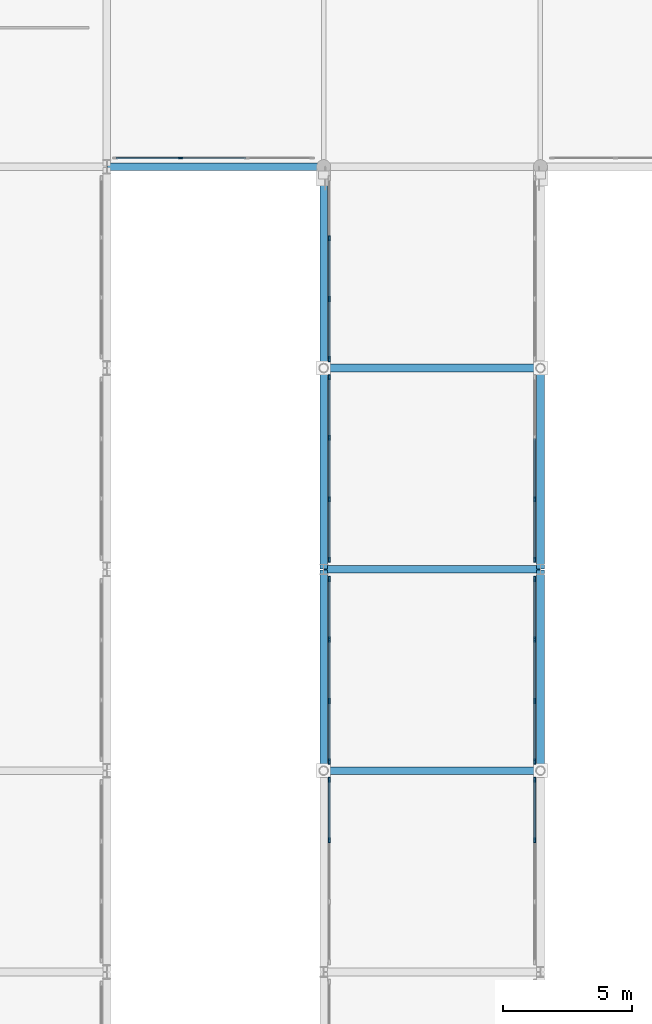
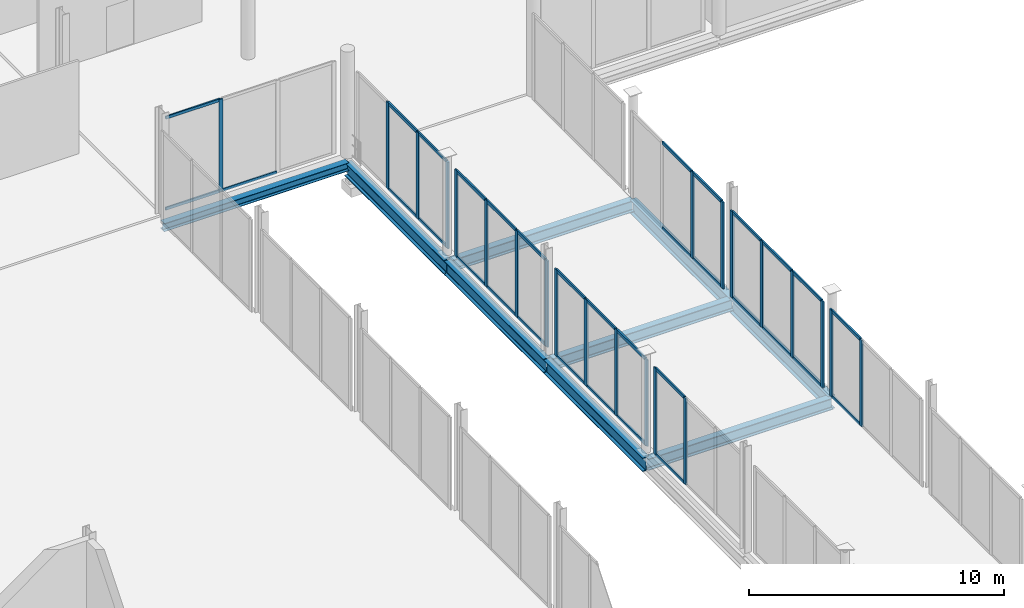
# One storey, part 46 of 105: 55 members, 9 beams, 8 elements without a shape of their own.
"""IFC4 building model written with IfcOpenShell, lengths in metres."""

from ifc_helpers import new_model, si_unit, direction, frame, origin, origin_2d, place, context, subcontext, project, spatial, rectangle, i_section, extrude, material, material_profile, profile_set, type_object, element, aggregate, save


model = new_model("IFC4")

# Units and contexts
model_context = context("Model", 3, precision=1e-05, world=origin(), true_north=direction((0.0, 1.0)))
body_context = subcontext(model_context, "Body", "Model", "MODEL_VIEW")
ifc_project = project(units=[si_unit("LENGTHUNIT", "METRE"), si_unit("AREAUNIT", "SQUARE_METRE"), si_unit("VOLUMEUNIT", "CUBIC_METRE"), si_unit("PLANEANGLEUNIT", "RADIAN"), si_unit("MASSUNIT", "GRAM", prefix="KILO")], contexts=[model_context])

# Site, building, storey
site_placement = place(None, origin())
site = spatial("IfcSite", under=ifc_project, at=site_placement, CompositionType="ELEMENT")
building_placement = place(site_placement, origin())
building = spatial("IfcBuilding", under=site, at=building_placement, Name="Nabrawat Pavilion Hospital", CompositionType="ELEMENT")
storey_placement = place(building_placement, frame((0.0, 0.0, 5.10009765625)))
storey = spatial("IfcBuildingStorey", under=building, at=storey_placement, Name="L01", CompositionType="ELEMENT", Elevation=5.10009765625)

# Beams
ifc_material_1 = material(Name="Steel S355", Category="steel")
ifc_material_profile_1 = material_profile(ifc_material_1, i_section(OverallWidth=0.300048828125, OverallDepth=0.64990234375, WebThickness=0.01611328125, FlangeThickness=0.031005859375, FilletRadius=0.027099609375, at=origin_2d()), Name="HEB 650")
ifc_profile_set_1 = profile_set([ifc_material_profile_1], Name="Steel S355")
beam_type_1 = type_object("IfcBeamType", Name="Courtyard Link Bridge Edge Girder HEB 650", PredefinedType="USERDEFINED", material=ifc_profile_set_1)
for number, where, z_axis, x_axis, name in (
    (1, (67.199951171875, 62.419921875, -0.614990234375), (0.0, 1.0, 0.0), (-1.0, 0.0, 0.0), "L01 Courtyard Link Bridge Edge Girder 762"),
    (2, (67.199951171875, 70.219970703125, -0.614990234375), (0.0, 1.0, 0.0), (-1.0, 0.0, 0.0), "L01 Courtyard Link Bridge Edge Girder 763"),
    (3, (67.199951171875, 78.02001953125, -0.614990234375), (0.0, 1.0, 0.0), (-1.0, 0.0, 0.0), "L01 Courtyard Link Bridge Edge Girder 764"),
    (4, (75.60009765625, 62.419921875, -0.614990234375), (0.0, 1.0, 0.0), (-1.0, 0.0, 0.0), "L01 Courtyard Link Bridge Edge Girder 771"),
    (5, (75.60009765625, 70.219970703125, -0.614990234375), (0.0, 1.0, 0.0), (-1.0, 0.0, 0.0), "L01 Courtyard Link Bridge Edge Girder 772"),
):
    element("IfcBeam", number, at=place(storey_placement, frame(where, z_axis=z_axis, x_axis=x_axis)), inside=storey, type_object=beam_type_1, Name=name, ObjectType="GIRDER", PredefinedType="USERDEFINED", context=body_context, shape_type="SweptSolid", body=[
        extrude(i_section(OverallWidth=0.300048828125, OverallDepth=0.64990234375, WebThickness=0.01611328125, FlangeThickness=0.031005859375, FilletRadius=0.027099609375, at=origin_2d()), origin(), (0.0, 0.0, 1.0), 7.760009765625),
    ])

# Curtain wall, members
ifc_material_2 = material(Name="Anodised Aluminium", Category="aluminium")
curtain_wall_type_1 = type_object("IfcCurtainWallType", Name="Courtyard Link Bridge Glazed Curtain Wall", PredefinedType="USERDEFINED", material=ifc_material_2)
curtain_wall_1_placement = place(storey_placement, origin())
curtain_wall_1 = element("IfcCurtainWall", 6, at=curtain_wall_1_placement, inside=storey, type_object=curtain_wall_type_1, Name="L01 Courtyard Link Bridge Glazed Curtain Wall 054", ObjectType="CURTAIN WALL", PredefinedType="USERDEFINED")
ifc_material_profile_2 = material_profile(ifc_material_2, rectangle(XDim=0.070068359375, YDim=0.199951171875, at=origin_2d()), Name="CWM 70x200")
ifc_profile_set_2 = profile_set([ifc_material_profile_2], Name="Anodised Aluminium")
member_type_1 = type_object("IfcMemberType", Name="Courtyard Link Bridge Glazed Curtain Wall Mullion CWM 70x200", PredefinedType="MULLION", material=ifc_profile_set_2)
member_1_placement = place(storey_placement, frame((67.419921875, 59.701416015625, 0.0), z_axis=(0.0, 0.0, 1.0), x_axis=(-1.0, 0.0, 0.0)))
member_1 = element("IfcMember", 7, at=member_1_placement, type_object=member_type_1, Name="CW-BRG-01 mullion 3", PredefinedType="MULLION", context=body_context, shape_type="SweptSolid", body=[
    extrude(rectangle(XDim=0.070068359375, YDim=0.199951171875, at=origin_2d()), origin(), (0.0, 0.0, 1.0), 4.139892578125),
])
member_2_placement = place(storey_placement, frame((67.419921875, 62.047119140625, 0.0), z_axis=(0.0, 0.0, 1.0), x_axis=(-1.0, 0.0, 0.0)))
member_2 = element("IfcMember", 8, at=member_2_placement, type_object=member_type_1, Name="CW-BRG-01 mullion 4", PredefinedType="MULLION", context=body_context, shape_type="SweptSolid", body=[
    extrude(rectangle(XDim=0.070068359375, YDim=0.199951171875, at=origin_2d()), origin(), (0.0, 0.0, 1.0), 4.139892578125),
])

curtain_wall_2_placement = place(storey_placement, origin())
curtain_wall_2 = element("IfcCurtainWall", 9, at=curtain_wall_2_placement, inside=storey, type_object=curtain_wall_type_1, Name="L01 Courtyard Link Bridge Glazed Curtain Wall 055", ObjectType="CURTAIN WALL", PredefinedType="USERDEFINED")
member_3_placement = place(storey_placement, frame((67.419921875, 62.752685546875, 0.0), z_axis=(0.0, 0.0, 1.0), x_axis=(-1.0, 0.0, 0.0)))
member_3 = element("IfcMember", 10, at=member_3_placement, type_object=member_type_1, Name="CW-BRG-01 mullion 1", PredefinedType="MULLION", context=body_context, shape_type="SweptSolid", body=[
    extrude(rectangle(XDim=0.070068359375, YDim=0.199951171875, at=origin_2d()), origin(), (0.0, 0.0, 1.0), 4.139892578125),
])
member_4_placement = place(storey_placement, frame((67.419921875, 65.0986328125, 0.0), z_axis=(0.0, 0.0, 1.0), x_axis=(-1.0, 0.0, 0.0)))
member_4 = element("IfcMember", 11, at=member_4_placement, type_object=member_type_1, Name="CW-BRG-01 mullion 2", PredefinedType="MULLION", context=body_context, shape_type="SweptSolid", body=[
    extrude(rectangle(XDim=0.070068359375, YDim=0.199951171875, at=origin_2d()), origin(), (0.0, 0.0, 1.0), 4.139892578125),
])
member_5_placement = place(storey_placement, frame((67.419921875, 67.479248046875, 0.0), z_axis=(0.0, 0.0, 1.0), x_axis=(-1.0, 0.0, 0.0)))
member_5 = element("IfcMember", 12, at=member_5_placement, type_object=member_type_1, Name="CW-BRG-01 mullion 3", PredefinedType="MULLION", context=body_context, shape_type="SweptSolid", body=[
    extrude(rectangle(XDim=0.070068359375, YDim=0.199951171875, at=origin_2d()), origin(), (0.0, 0.0, 1.0), 4.139892578125),
])
member_6_placement = place(storey_placement, frame((67.419921875, 69.824951171875, 0.0), z_axis=(0.0, 0.0, 1.0), x_axis=(-1.0, 0.0, 0.0)))
member_6 = element("IfcMember", 13, at=member_6_placement, type_object=member_type_1, Name="CW-BRG-01 mullion 4", PredefinedType="MULLION", context=body_context, shape_type="SweptSolid", body=[
    extrude(rectangle(XDim=0.070068359375, YDim=0.199951171875, at=origin_2d()), origin(), (0.0, 0.0, 1.0), 4.139892578125),
])

curtain_wall_3_placement = place(storey_placement, origin())
curtain_wall_3 = element("IfcCurtainWall", 14, at=curtain_wall_3_placement, inside=storey, type_object=curtain_wall_type_1, Name="L01 Courtyard Link Bridge Glazed Curtain Wall 056", ObjectType="CURTAIN WALL", PredefinedType="USERDEFINED")
member_7_placement = place(storey_placement, frame((67.419921875, 70.574951171875, 0.0), z_axis=(0.0, 0.0, 1.0), x_axis=(-1.0, 0.0, 0.0)))
member_7 = element("IfcMember", 15, at=member_7_placement, type_object=member_type_1, Name="CW-BRG-01 mullion 1", PredefinedType="MULLION", context=body_context, shape_type="SweptSolid", body=[
    extrude(rectangle(XDim=0.070068359375, YDim=0.199951171875, at=origin_2d()), origin(), (0.0, 0.0, 1.0), 4.139892578125),
])
member_8_placement = place(storey_placement, frame((67.419921875, 72.920654296875, 0.0), z_axis=(0.0, 0.0, 1.0), x_axis=(-1.0, 0.0, 0.0)))
member_8 = element("IfcMember", 16, at=member_8_placement, type_object=member_type_1, Name="CW-BRG-01 mullion 2", PredefinedType="MULLION", context=body_context, shape_type="SweptSolid", body=[
    extrude(rectangle(XDim=0.070068359375, YDim=0.199951171875, at=origin_2d()), origin(), (0.0, 0.0, 1.0), 4.139892578125),
])
member_9_placement = place(storey_placement, frame((67.419921875, 75.301513671875, 0.0), z_axis=(0.0, 0.0, 1.0), x_axis=(-1.0, 0.0, 0.0)))
member_9 = element("IfcMember", 17, at=member_9_placement, type_object=member_type_1, Name="CW-BRG-01 mullion 3", PredefinedType="MULLION", context=body_context, shape_type="SweptSolid", body=[
    extrude(rectangle(XDim=0.070068359375, YDim=0.199951171875, at=origin_2d()), origin(), (0.0, 0.0, 1.0), 4.139892578125),
])
member_10_placement = place(storey_placement, frame((67.419921875, 77.647216796875, 0.0), z_axis=(0.0, 0.0, 1.0), x_axis=(-1.0, 0.0, 0.0)))
member_10 = element("IfcMember", 18, at=member_10_placement, type_object=member_type_1, Name="CW-BRG-01 mullion 4", PredefinedType="MULLION", context=body_context, shape_type="SweptSolid", body=[
    extrude(rectangle(XDim=0.070068359375, YDim=0.199951171875, at=origin_2d()), origin(), (0.0, 0.0, 1.0), 4.139892578125),
])

curtain_wall_4_placement = place(storey_placement, origin())
curtain_wall_4 = element("IfcCurtainWall", 19, at=curtain_wall_4_placement, inside=storey, type_object=curtain_wall_type_1, Name="L01 Courtyard Link Bridge Glazed Curtain Wall 057", ObjectType="CURTAIN WALL", PredefinedType="USERDEFINED")
member_11_placement = place(storey_placement, frame((67.419921875, 78.352783203125, 0.0), z_axis=(0.0, 0.0, 1.0), x_axis=(-1.0, 0.0, 0.0)))
member_11 = element("IfcMember", 20, at=member_11_placement, type_object=member_type_1, Name="CW-BRG-01 mullion 1", PredefinedType="MULLION", context=body_context, shape_type="SweptSolid", body=[
    extrude(rectangle(XDim=0.070068359375, YDim=0.199951171875, at=origin_2d()), origin(), (0.0, 0.0, 1.0), 4.139892578125),
])
member_12_placement = place(storey_placement, frame((67.419921875, 80.673583984375, 0.0), z_axis=(0.0, 0.0, 1.0), x_axis=(-1.0, 0.0, 0.0)))
member_12 = element("IfcMember", 21, at=member_12_placement, type_object=member_type_1, Name="CW-BRG-01 mullion 2", PredefinedType="MULLION", context=body_context, shape_type="SweptSolid", body=[
    extrude(rectangle(XDim=0.070068359375, YDim=0.199951171875, at=origin_2d()), origin(), (0.0, 0.0, 1.0), 4.139892578125),
])
member_13_placement = place(storey_placement, frame((67.419921875, 83.029296875, 0.0), z_axis=(0.0, 0.0, 1.0), x_axis=(-1.0, 0.0, 0.0)))
member_13 = element("IfcMember", 22, at=member_13_placement, type_object=member_type_1, Name="CW-BRG-01 mullion 3", PredefinedType="MULLION", context=body_context, shape_type="SweptSolid", body=[
    extrude(rectangle(XDim=0.070068359375, YDim=0.199951171875, at=origin_2d()), origin(), (0.0, 0.0, 1.0), 4.139892578125),
])

curtain_wall_5_placement = place(storey_placement, origin())
curtain_wall_5 = element("IfcCurtainWall", 23, at=curtain_wall_5_placement, inside=storey, type_object=curtain_wall_type_1, Name="L01 Courtyard Link Bridge Glazed Curtain Wall 060", ObjectType="CURTAIN WALL", PredefinedType="USERDEFINED")
member_14_placement = place(storey_placement, frame((75.3798828125, 59.701416015625, 0.0), z_axis=(0.0, 0.0, 1.0), x_axis=(-1.0, 0.0, 0.0)))
member_14 = element("IfcMember", 24, at=member_14_placement, type_object=member_type_1, Name="CW-BRG-01 mullion 3", PredefinedType="MULLION", context=body_context, shape_type="SweptSolid", body=[
    extrude(rectangle(XDim=0.070068359375, YDim=0.199951171875, at=origin_2d()), origin(), (0.0, 0.0, 1.0), 4.139892578125),
])
member_15_placement = place(storey_placement, frame((75.3798828125, 62.047119140625, 0.0), z_axis=(0.0, 0.0, 1.0), x_axis=(-1.0, 0.0, 0.0)))
member_15 = element("IfcMember", 25, at=member_15_placement, type_object=member_type_1, Name="CW-BRG-01 mullion 4", PredefinedType="MULLION", context=body_context, shape_type="SweptSolid", body=[
    extrude(rectangle(XDim=0.070068359375, YDim=0.199951171875, at=origin_2d()), origin(), (0.0, 0.0, 1.0), 4.139892578125),
])

curtain_wall_6_placement = place(storey_placement, origin())
curtain_wall_6 = element("IfcCurtainWall", 26, at=curtain_wall_6_placement, inside=storey, type_object=curtain_wall_type_1, Name="L01 Courtyard Link Bridge Glazed Curtain Wall 061", ObjectType="CURTAIN WALL", PredefinedType="USERDEFINED")
member_16_placement = place(storey_placement, frame((75.3798828125, 62.752685546875, 0.0), z_axis=(0.0, 0.0, 1.0), x_axis=(-1.0, 0.0, 0.0)))
member_16 = element("IfcMember", 27, at=member_16_placement, type_object=member_type_1, Name="CW-BRG-01 mullion 1", PredefinedType="MULLION", context=body_context, shape_type="SweptSolid", body=[
    extrude(rectangle(XDim=0.070068359375, YDim=0.199951171875, at=origin_2d()), origin(), (0.0, 0.0, 1.0), 4.139892578125),
])
member_17_placement = place(storey_placement, frame((75.3798828125, 65.0986328125, 0.0), z_axis=(0.0, 0.0, 1.0), x_axis=(-1.0, 0.0, 0.0)))
member_17 = element("IfcMember", 28, at=member_17_placement, type_object=member_type_1, Name="CW-BRG-01 mullion 2", PredefinedType="MULLION", context=body_context, shape_type="SweptSolid", body=[
    extrude(rectangle(XDim=0.070068359375, YDim=0.199951171875, at=origin_2d()), origin(), (0.0, 0.0, 1.0), 4.139892578125),
])
member_18_placement = place(storey_placement, frame((75.3798828125, 67.479248046875, 0.0), z_axis=(0.0, 0.0, 1.0), x_axis=(-1.0, 0.0, 0.0)))
member_18 = element("IfcMember", 29, at=member_18_placement, type_object=member_type_1, Name="CW-BRG-01 mullion 3", PredefinedType="MULLION", context=body_context, shape_type="SweptSolid", body=[
    extrude(rectangle(XDim=0.070068359375, YDim=0.199951171875, at=origin_2d()), origin(), (0.0, 0.0, 1.0), 4.139892578125),
])
member_19_placement = place(storey_placement, frame((75.3798828125, 69.824951171875, 0.0), z_axis=(0.0, 0.0, 1.0), x_axis=(-1.0, 0.0, 0.0)))
member_19 = element("IfcMember", 30, at=member_19_placement, type_object=member_type_1, Name="CW-BRG-01 mullion 4", PredefinedType="MULLION", context=body_context, shape_type="SweptSolid", body=[
    extrude(rectangle(XDim=0.070068359375, YDim=0.199951171875, at=origin_2d()), origin(), (0.0, 0.0, 1.0), 4.139892578125),
])

curtain_wall_7_placement = place(storey_placement, origin())
curtain_wall_7 = element("IfcCurtainWall", 31, at=curtain_wall_7_placement, inside=storey, type_object=curtain_wall_type_1, Name="L01 Courtyard Link Bridge Glazed Curtain Wall 062", ObjectType="CURTAIN WALL", PredefinedType="USERDEFINED")
member_20_placement = place(storey_placement, frame((75.3798828125, 70.574951171875, 0.0), z_axis=(0.0, 0.0, 1.0), x_axis=(-1.0, 0.0, 0.0)))
member_20 = element("IfcMember", 32, at=member_20_placement, type_object=member_type_1, Name="CW-BRG-01 mullion 1", PredefinedType="MULLION", context=body_context, shape_type="SweptSolid", body=[
    extrude(rectangle(XDim=0.070068359375, YDim=0.199951171875, at=origin_2d()), origin(), (0.0, 0.0, 1.0), 4.139892578125),
])
member_21_placement = place(storey_placement, frame((75.3798828125, 72.920654296875, 0.0), z_axis=(0.0, 0.0, 1.0), x_axis=(-1.0, 0.0, 0.0)))
member_21 = element("IfcMember", 33, at=member_21_placement, type_object=member_type_1, Name="CW-BRG-01 mullion 2", PredefinedType="MULLION", context=body_context, shape_type="SweptSolid", body=[
    extrude(rectangle(XDim=0.070068359375, YDim=0.199951171875, at=origin_2d()), origin(), (0.0, 0.0, 1.0), 4.139892578125),
])

# Member
ifc_material_profile_3 = material_profile(ifc_material_2, rectangle(XDim=0.070068359375, YDim=0.14990234375, at=origin_2d()), Name="CWT 70x150")
ifc_profile_set_3 = profile_set([ifc_material_profile_3], Name="Anodised Aluminium")
member_type_2 = type_object("IfcMemberType", Name="Courtyard Link Bridge Glazed Curtain Wall Transom CWT 70x150", PredefinedType="USERDEFINED", material=ifc_profile_set_3)
member_22_placement = place(storey_placement, frame((67.419921875, 59.736572265625, 0.034912109375), z_axis=(0.0, 1.0, 0.0), x_axis=(-1.0, 0.0, 0.0)))
member_22 = element("IfcMember", 34, at=member_22_placement, type_object=member_type_2, Name="CW-BRG-01 transom 3.1", ObjectType="TRANSOM", PredefinedType="USERDEFINED", context=body_context, shape_type="SweptSolid", body=[
    extrude(rectangle(XDim=0.070068359375, YDim=0.14990234375, at=origin_2d()), origin(), (0.0, 0.0, 1.0), 2.275634765625),
])

member_23_placement = place(storey_placement, frame((67.419921875, 59.736572265625, 4.10498046875), z_axis=(0.0, 1.0, 0.0), x_axis=(-1.0, 0.0, 0.0)))
member_23 = element("IfcMember", 35, at=member_23_placement, type_object=member_type_2, Name="CW-BRG-01 transom 3.2", ObjectType="TRANSOM", PredefinedType="USERDEFINED", context=body_context, shape_type="SweptSolid", body=[
    extrude(rectangle(XDim=0.070068359375, YDim=0.14990234375, at=origin_2d()), origin(), (0.0, 0.0, 1.0), 2.275634765625),
])

aggregate(curtain_wall_1, [member_1, member_2, member_22, member_23])

member_24_placement = place(storey_placement, frame((67.419921875, 62.787841796875, 0.034912109375), z_axis=(0.0, 1.0, 0.0), x_axis=(-1.0, 0.0, 0.0)))
member_24 = element("IfcMember", 36, at=member_24_placement, type_object=member_type_2, Name="CW-BRG-01 transom 1.1", ObjectType="TRANSOM", PredefinedType="USERDEFINED", context=body_context, shape_type="SweptSolid", body=[
    extrude(rectangle(XDim=0.070068359375, YDim=0.14990234375, at=origin_2d()), origin(), (0.0, 0.0, 1.0), 2.275634765625),
])

member_25_placement = place(storey_placement, frame((67.419921875, 62.787841796875, 4.10498046875), z_axis=(0.0, 1.0, 0.0), x_axis=(-1.0, 0.0, 0.0)))
member_25 = element("IfcMember", 37, at=member_25_placement, type_object=member_type_2, Name="CW-BRG-01 transom 1.2", ObjectType="TRANSOM", PredefinedType="USERDEFINED", context=body_context, shape_type="SweptSolid", body=[
    extrude(rectangle(XDim=0.070068359375, YDim=0.14990234375, at=origin_2d()), origin(), (0.0, 0.0, 1.0), 2.275634765625),
])

member_26_placement = place(storey_placement, frame((67.419921875, 65.133544921875, 0.034912109375), z_axis=(0.0, 1.0, 0.0), x_axis=(-1.0, 0.0, 0.0)))
member_26 = element("IfcMember", 38, at=member_26_placement, type_object=member_type_2, Name="CW-BRG-01 transom 2.1", ObjectType="TRANSOM", PredefinedType="USERDEFINED", context=body_context, shape_type="SweptSolid", body=[
    extrude(rectangle(XDim=0.070068359375, YDim=0.14990234375, at=origin_2d()), origin(), (0.0, 0.0, 1.0), 2.310791015625),
])

member_27_placement = place(storey_placement, frame((67.419921875, 65.133544921875, 4.10498046875), z_axis=(0.0, 1.0, 0.0), x_axis=(-1.0, 0.0, 0.0)))
member_27 = element("IfcMember", 39, at=member_27_placement, type_object=member_type_2, Name="CW-BRG-01 transom 2.2", ObjectType="TRANSOM", PredefinedType="USERDEFINED", context=body_context, shape_type="SweptSolid", body=[
    extrude(rectangle(XDim=0.070068359375, YDim=0.14990234375, at=origin_2d()), origin(), (0.0, 0.0, 1.0), 2.310791015625),
])

member_28_placement = place(storey_placement, frame((67.419921875, 67.51416015625, 0.034912109375), z_axis=(0.0, 1.0, 0.0), x_axis=(-1.0, 0.0, 0.0)))
member_28 = element("IfcMember", 40, at=member_28_placement, type_object=member_type_2, Name="CW-BRG-01 transom 3.1", ObjectType="TRANSOM", PredefinedType="USERDEFINED", context=body_context, shape_type="SweptSolid", body=[
    extrude(rectangle(XDim=0.070068359375, YDim=0.14990234375, at=origin_2d()), origin(), (0.0, 0.0, 1.0), 2.27587890625),
])

member_29_placement = place(storey_placement, frame((67.419921875, 67.51416015625, 4.10498046875), z_axis=(0.0, 1.0, 0.0), x_axis=(-1.0, 0.0, 0.0)))
member_29 = element("IfcMember", 41, at=member_29_placement, type_object=member_type_2, Name="CW-BRG-01 transom 3.2", ObjectType="TRANSOM", PredefinedType="USERDEFINED", context=body_context, shape_type="SweptSolid", body=[
    extrude(rectangle(XDim=0.070068359375, YDim=0.14990234375, at=origin_2d()), origin(), (0.0, 0.0, 1.0), 2.27587890625),
])

aggregate(curtain_wall_2, [member_3, member_4, member_5, member_6, member_24, member_25, member_26, member_27, member_28, member_29])

member_30_placement = place(storey_placement, frame((67.419921875, 70.610107421875, 0.034912109375), z_axis=(0.0, 1.0, 0.0), x_axis=(-1.0, 0.0, 0.0)))
member_30 = element("IfcMember", 42, at=member_30_placement, type_object=member_type_2, Name="CW-BRG-01 transom 1.1", ObjectType="TRANSOM", PredefinedType="USERDEFINED", context=body_context, shape_type="SweptSolid", body=[
    extrude(rectangle(XDim=0.070068359375, YDim=0.14990234375, at=origin_2d()), origin(), (0.0, 0.0, 1.0), 2.275634765625),
])

member_31_placement = place(storey_placement, frame((67.419921875, 70.610107421875, 4.10498046875), z_axis=(0.0, 1.0, 0.0), x_axis=(-1.0, 0.0, 0.0)))
member_31 = element("IfcMember", 43, at=member_31_placement, type_object=member_type_2, Name="CW-BRG-01 transom 1.2", ObjectType="TRANSOM", PredefinedType="USERDEFINED", context=body_context, shape_type="SweptSolid", body=[
    extrude(rectangle(XDim=0.070068359375, YDim=0.14990234375, at=origin_2d()), origin(), (0.0, 0.0, 1.0), 2.275634765625),
])

member_32_placement = place(storey_placement, frame((67.419921875, 72.955810546875, 0.034912109375), z_axis=(0.0, 1.0, 0.0), x_axis=(-1.0, 0.0, 0.0)))
member_32 = element("IfcMember", 44, at=member_32_placement, type_object=member_type_2, Name="CW-BRG-01 transom 2.1", ObjectType="TRANSOM", PredefinedType="USERDEFINED", context=body_context, shape_type="SweptSolid", body=[
    extrude(rectangle(XDim=0.070068359375, YDim=0.14990234375, at=origin_2d()), origin(), (0.0, 0.0, 1.0), 2.310546875),
])

member_33_placement = place(storey_placement, frame((67.419921875, 72.955810546875, 4.10498046875), z_axis=(0.0, 1.0, 0.0), x_axis=(-1.0, 0.0, 0.0)))
member_33 = element("IfcMember", 45, at=member_33_placement, type_object=member_type_2, Name="CW-BRG-01 transom 2.2", ObjectType="TRANSOM", PredefinedType="USERDEFINED", context=body_context, shape_type="SweptSolid", body=[
    extrude(rectangle(XDim=0.070068359375, YDim=0.14990234375, at=origin_2d()), origin(), (0.0, 0.0, 1.0), 2.310546875),
])

member_34_placement = place(storey_placement, frame((67.419921875, 75.33642578125, 0.034912109375), z_axis=(0.0, 1.0, 0.0), x_axis=(-1.0, 0.0, 0.0)))
member_34 = element("IfcMember", 46, at=member_34_placement, type_object=member_type_2, Name="CW-BRG-01 transom 3.1", ObjectType="TRANSOM", PredefinedType="USERDEFINED", context=body_context, shape_type="SweptSolid", body=[
    extrude(rectangle(XDim=0.070068359375, YDim=0.14990234375, at=origin_2d()), origin(), (0.0, 0.0, 1.0), 2.27587890625),
])

member_35_placement = place(storey_placement, frame((67.419921875, 75.33642578125, 4.10498046875), z_axis=(0.0, 1.0, 0.0), x_axis=(-1.0, 0.0, 0.0)))
member_35 = element("IfcMember", 47, at=member_35_placement, type_object=member_type_2, Name="CW-BRG-01 transom 3.2", ObjectType="TRANSOM", PredefinedType="USERDEFINED", context=body_context, shape_type="SweptSolid", body=[
    extrude(rectangle(XDim=0.070068359375, YDim=0.14990234375, at=origin_2d()), origin(), (0.0, 0.0, 1.0), 2.27587890625),
])

aggregate(curtain_wall_3, [member_7, member_8, member_9, member_10, member_30, member_31, member_32, member_33, member_34, member_35])

member_36_placement = place(storey_placement, frame((67.419921875, 78.3876953125, 0.034912109375), z_axis=(0.0, 1.0, 0.0), x_axis=(-1.0, 0.0, 0.0)))
member_36 = element("IfcMember", 48, at=member_36_placement, type_object=member_type_2, Name="CW-BRG-01 transom 1.1", ObjectType="TRANSOM", PredefinedType="USERDEFINED", context=body_context, shape_type="SweptSolid", body=[
    extrude(rectangle(XDim=0.070068359375, YDim=0.14990234375, at=origin_2d()), origin(), (0.0, 0.0, 1.0), 2.250732421875),
])

member_37_placement = place(storey_placement, frame((67.419921875, 78.3876953125, 4.10498046875), z_axis=(0.0, 1.0, 0.0), x_axis=(-1.0, 0.0, 0.0)))
member_37 = element("IfcMember", 49, at=member_37_placement, type_object=member_type_2, Name="CW-BRG-01 transom 1.2", ObjectType="TRANSOM", PredefinedType="USERDEFINED", context=body_context, shape_type="SweptSolid", body=[
    extrude(rectangle(XDim=0.070068359375, YDim=0.14990234375, at=origin_2d()), origin(), (0.0, 0.0, 1.0), 2.250732421875),
])

member_38_placement = place(storey_placement, frame((67.419921875, 80.70849609375, 0.034912109375), z_axis=(0.0, 1.0, 0.0), x_axis=(-1.0, 0.0, 0.0)))
member_38 = element("IfcMember", 50, at=member_38_placement, type_object=member_type_2, Name="CW-BRG-01 transom 2.1", ObjectType="TRANSOM", PredefinedType="USERDEFINED", context=body_context, shape_type="SweptSolid", body=[
    extrude(rectangle(XDim=0.070068359375, YDim=0.14990234375, at=origin_2d()), origin(), (0.0, 0.0, 1.0), 2.285888671875),
])

member_39_placement = place(storey_placement, frame((67.419921875, 80.70849609375, 4.10498046875), z_axis=(0.0, 1.0, 0.0), x_axis=(-1.0, 0.0, 0.0)))
member_39 = element("IfcMember", 51, at=member_39_placement, type_object=member_type_2, Name="CW-BRG-01 transom 2.2", ObjectType="TRANSOM", PredefinedType="USERDEFINED", context=body_context, shape_type="SweptSolid", body=[
    extrude(rectangle(XDim=0.070068359375, YDim=0.14990234375, at=origin_2d()), origin(), (0.0, 0.0, 1.0), 2.285888671875),
])

aggregate(curtain_wall_4, [member_11, member_12, member_13, member_36, member_37, member_38, member_39])

member_40_placement = place(storey_placement, frame((75.3798828125, 59.736572265625, 0.034912109375), z_axis=(0.0, 1.0, 0.0), x_axis=(-1.0, 0.0, 0.0)))
member_40 = element("IfcMember", 52, at=member_40_placement, type_object=member_type_2, Name="CW-BRG-01 transom 3.1", ObjectType="TRANSOM", PredefinedType="USERDEFINED", context=body_context, shape_type="SweptSolid", body=[
    extrude(rectangle(XDim=0.070068359375, YDim=0.14990234375, at=origin_2d()), origin(), (0.0, 0.0, 1.0), 2.275634765625),
])

member_41_placement = place(storey_placement, frame((75.3798828125, 59.736572265625, 4.10498046875), z_axis=(0.0, 1.0, 0.0), x_axis=(-1.0, 0.0, 0.0)))
member_41 = element("IfcMember", 53, at=member_41_placement, type_object=member_type_2, Name="CW-BRG-01 transom 3.2", ObjectType="TRANSOM", PredefinedType="USERDEFINED", context=body_context, shape_type="SweptSolid", body=[
    extrude(rectangle(XDim=0.070068359375, YDim=0.14990234375, at=origin_2d()), origin(), (0.0, 0.0, 1.0), 2.275634765625),
])

aggregate(curtain_wall_5, [member_14, member_15, member_40, member_41])

member_42_placement = place(storey_placement, frame((75.3798828125, 62.787841796875, 0.034912109375), z_axis=(0.0, 1.0, 0.0), x_axis=(-1.0, 0.0, 0.0)))
member_42 = element("IfcMember", 54, at=member_42_placement, type_object=member_type_2, Name="CW-BRG-01 transom 1.1", ObjectType="TRANSOM", PredefinedType="USERDEFINED", context=body_context, shape_type="SweptSolid", body=[
    extrude(rectangle(XDim=0.070068359375, YDim=0.14990234375, at=origin_2d()), origin(), (0.0, 0.0, 1.0), 2.275634765625),
])

member_43_placement = place(storey_placement, frame((75.3798828125, 62.787841796875, 4.10498046875), z_axis=(0.0, 1.0, 0.0), x_axis=(-1.0, 0.0, 0.0)))
member_43 = element("IfcMember", 55, at=member_43_placement, type_object=member_type_2, Name="CW-BRG-01 transom 1.2", ObjectType="TRANSOM", PredefinedType="USERDEFINED", context=body_context, shape_type="SweptSolid", body=[
    extrude(rectangle(XDim=0.070068359375, YDim=0.14990234375, at=origin_2d()), origin(), (0.0, 0.0, 1.0), 2.275634765625),
])

member_44_placement = place(storey_placement, frame((75.3798828125, 65.133544921875, 0.034912109375), z_axis=(0.0, 1.0, 0.0), x_axis=(-1.0, 0.0, 0.0)))
member_44 = element("IfcMember", 56, at=member_44_placement, type_object=member_type_2, Name="CW-BRG-01 transom 2.1", ObjectType="TRANSOM", PredefinedType="USERDEFINED", context=body_context, shape_type="SweptSolid", body=[
    extrude(rectangle(XDim=0.070068359375, YDim=0.14990234375, at=origin_2d()), origin(), (0.0, 0.0, 1.0), 2.310791015625),
])

member_45_placement = place(storey_placement, frame((75.3798828125, 65.133544921875, 4.10498046875), z_axis=(0.0, 1.0, 0.0), x_axis=(-1.0, 0.0, 0.0)))
member_45 = element("IfcMember", 57, at=member_45_placement, type_object=member_type_2, Name="CW-BRG-01 transom 2.2", ObjectType="TRANSOM", PredefinedType="USERDEFINED", context=body_context, shape_type="SweptSolid", body=[
    extrude(rectangle(XDim=0.070068359375, YDim=0.14990234375, at=origin_2d()), origin(), (0.0, 0.0, 1.0), 2.310791015625),
])

member_46_placement = place(storey_placement, frame((75.3798828125, 67.51416015625, 0.034912109375), z_axis=(0.0, 1.0, 0.0), x_axis=(-1.0, 0.0, 0.0)))
member_46 = element("IfcMember", 58, at=member_46_placement, type_object=member_type_2, Name="CW-BRG-01 transom 3.1", ObjectType="TRANSOM", PredefinedType="USERDEFINED", context=body_context, shape_type="SweptSolid", body=[
    extrude(rectangle(XDim=0.070068359375, YDim=0.14990234375, at=origin_2d()), origin(), (0.0, 0.0, 1.0), 2.27587890625),
])

member_47_placement = place(storey_placement, frame((75.3798828125, 67.51416015625, 4.10498046875), z_axis=(0.0, 1.0, 0.0), x_axis=(-1.0, 0.0, 0.0)))
member_47 = element("IfcMember", 59, at=member_47_placement, type_object=member_type_2, Name="CW-BRG-01 transom 3.2", ObjectType="TRANSOM", PredefinedType="USERDEFINED", context=body_context, shape_type="SweptSolid", body=[
    extrude(rectangle(XDim=0.070068359375, YDim=0.14990234375, at=origin_2d()), origin(), (0.0, 0.0, 1.0), 2.27587890625),
])

aggregate(curtain_wall_6, [member_16, member_17, member_18, member_19, member_42, member_43, member_44, member_45, member_46, member_47])

member_48_placement = place(storey_placement, frame((75.3798828125, 70.610107421875, 0.034912109375), z_axis=(0.0, 1.0, 0.0), x_axis=(-1.0, 0.0, 0.0)))
member_48 = element("IfcMember", 60, at=member_48_placement, type_object=member_type_2, Name="CW-BRG-01 transom 1.1", ObjectType="TRANSOM", PredefinedType="USERDEFINED", context=body_context, shape_type="SweptSolid", body=[
    extrude(rectangle(XDim=0.070068359375, YDim=0.14990234375, at=origin_2d()), origin(), (0.0, 0.0, 1.0), 2.275634765625),
])

member_49_placement = place(storey_placement, frame((75.3798828125, 70.610107421875, 4.10498046875), z_axis=(0.0, 1.0, 0.0), x_axis=(-1.0, 0.0, 0.0)))
member_49 = element("IfcMember", 61, at=member_49_placement, type_object=member_type_2, Name="CW-BRG-01 transom 1.2", ObjectType="TRANSOM", PredefinedType="USERDEFINED", context=body_context, shape_type="SweptSolid", body=[
    extrude(rectangle(XDim=0.070068359375, YDim=0.14990234375, at=origin_2d()), origin(), (0.0, 0.0, 1.0), 2.275634765625),
])

member_50_placement = place(storey_placement, frame((75.3798828125, 72.955810546875, 0.034912109375), z_axis=(0.0, 1.0, 0.0), x_axis=(-1.0, 0.0, 0.0)))
member_50 = element("IfcMember", 62, at=member_50_placement, type_object=member_type_2, Name="CW-BRG-01 transom 2.1", ObjectType="TRANSOM", PredefinedType="USERDEFINED", context=body_context, shape_type="SweptSolid", body=[
    extrude(rectangle(XDim=0.070068359375, YDim=0.14990234375, at=origin_2d()), origin(), (0.0, 0.0, 1.0), 2.310546875),
])

member_51_placement = place(storey_placement, frame((75.3798828125, 72.955810546875, 4.10498046875), z_axis=(0.0, 1.0, 0.0), x_axis=(-1.0, 0.0, 0.0)))
member_51 = element("IfcMember", 63, at=member_51_placement, type_object=member_type_2, Name="CW-BRG-01 transom 2.2", ObjectType="TRANSOM", PredefinedType="USERDEFINED", context=body_context, shape_type="SweptSolid", body=[
    extrude(rectangle(XDim=0.070068359375, YDim=0.14990234375, at=origin_2d()), origin(), (0.0, 0.0, 1.0), 2.310546875),
])

aggregate(curtain_wall_7, [member_20, member_21, member_48, member_49, member_50, member_51])

# Curtain wall, members
curtain_wall_type_2 = type_object("IfcCurtainWallType", Name="Healing Garden Cloister Curtain Wall", PredefinedType="USERDEFINED", material=ifc_material_2)
curtain_wall_8_placement = place(storey_placement, origin())
curtain_wall_8 = element("IfcCurtainWall", 64, at=curtain_wall_8_placement, inside=storey, type_object=curtain_wall_type_2, Name="L01 Healing Garden Cloister Curtain Wall 050", ObjectType="CURTAIN WALL", PredefinedType="USERDEFINED")
ifc_material_profile_4 = material_profile(ifc_material_2, rectangle(XDim=0.06494140625, YDim=0.179931640625, at=origin_2d()), Name="CWM 65x180")
ifc_profile_set_4 = profile_set([ifc_material_profile_4], Name="Anodised Aluminium")
member_type_3 = type_object("IfcMemberType", Name="Healing Garden Cloister Curtain Wall Mullion CWM 65x180", PredefinedType="MULLION", material=ifc_profile_set_4)
member_52_placement = place(storey_placement, frame((61.655029296875, 86.139892578125, 0.0), z_axis=(0.0, 0.0, 1.0), x_axis=(0.0, 1.0, 0.0)))
member_52 = element("IfcMember", 65, at=member_52_placement, type_object=member_type_3, Name="CW-CLN-01 mullion 2", PredefinedType="MULLION", context=body_context, shape_type="SweptSolid", body=[
    extrude(rectangle(XDim=0.06494140625, YDim=0.179931640625, at=origin_2d()), origin(), (0.0, 0.0, 1.0), 4.419921875),
])
ifc_material_profile_5 = material_profile(ifc_material_2, rectangle(XDim=0.06494140625, YDim=0.135009765625, at=origin_2d()), Name="CWT 65x135")
ifc_profile_set_5 = profile_set([ifc_material_profile_5], Name="Anodised Aluminium")
member_type_4 = type_object("IfcMemberType", Name="Healing Garden Cloister Curtain Wall Transom CWT 65x135", PredefinedType="USERDEFINED", material=ifc_profile_set_5)
member_53_placement = place(storey_placement, frame((59.155029296875, 86.139892578125, 0.032470703125), z_axis=(1.0, 0.0, 0.0), x_axis=(0.0, 1.0, 0.0)))
member_53 = element("IfcMember", 66, at=member_53_placement, type_object=member_type_4, Name="CW-CLN-01 transom 1.1", ObjectType="TRANSOM", PredefinedType="USERDEFINED", context=body_context, shape_type="SweptSolid", body=[
    extrude(rectangle(XDim=0.06494140625, YDim=0.135009765625, at=origin_2d()), origin(), (0.0, 0.0, 1.0), 2.467529296875),
])
member_54_placement = place(storey_placement, frame((59.155029296875, 86.139892578125, 4.387451171875), z_axis=(1.0, 0.0, 0.0), x_axis=(0.0, 1.0, 0.0)))
member_54 = element("IfcMember", 67, at=member_54_placement, type_object=member_type_4, Name="CW-CLN-01 transom 1.2", ObjectType="TRANSOM", PredefinedType="USERDEFINED", context=body_context, shape_type="SweptSolid", body=[
    extrude(rectangle(XDim=0.06494140625, YDim=0.135009765625, at=origin_2d()), origin(), (0.0, 0.0, 1.0), 2.467529296875),
])
member_55_placement = place(storey_placement, frame((61.6875, 86.139892578125, 0.032470703125), z_axis=(1.0, 0.0, 0.0), x_axis=(0.0, 1.0, 0.0)))
member_55 = element("IfcMember", 68, at=member_55_placement, type_object=member_type_4, Name="CW-CLN-01 transom 2.1", ObjectType="TRANSOM", PredefinedType="USERDEFINED", context=body_context, shape_type="SweptSolid", body=[
    extrude(rectangle(XDim=0.06494140625, YDim=0.135009765625, at=origin_2d()), origin(), (0.0, 0.0, 1.0), 2.5),
])
aggregate(curtain_wall_8, [member_52, member_53, member_54, member_55])

# Beams
ifc_material_profile_6 = material_profile(ifc_material_1, i_section(OverallWidth=0.300048828125, OverallDepth=0.389892578125, WebThickness=0.010986328125, FlangeThickness=0.01904296875, FilletRadius=0.027099609375, at=origin_2d()), Name="HEA 400")
ifc_profile_set_6 = profile_set([ifc_material_profile_6], Name="Steel S355")
beam_type_2 = type_object("IfcBeamType", Name="Perimeter Moment Spandrel Beam HEA 400", PredefinedType="SPANDREL", material=ifc_profile_set_6)
beam_placement = place(storey_placement, frame((58.820068359375, 85.800048828125, -0.47509765625), z_axis=(1.0, 0.0, 0.0), x_axis=(0.0, 1.0, 0.0)))
element("IfcBeam", 69, at=beam_placement, inside=storey, type_object=beam_type_2, Name="L01 Primary X Girder 606", PredefinedType="SPANDREL", context=body_context, shape_type="SweptSolid", body=[
    extrude(i_section(OverallWidth=0.300048828125, OverallDepth=0.389892578125, WebThickness=0.010986328125, FlangeThickness=0.01904296875, FilletRadius=0.027099609375, at=origin_2d()), origin(), (0.0, 0.0, 1.0), 8.35986328125),
])
ifc_material_profile_7 = material_profile(ifc_material_1, i_section(OverallWidth=0.300048828125, OverallDepth=0.550048828125, WebThickness=0.014892578125, FlangeThickness=0.029052734375, FilletRadius=0.027099609375, at=origin_2d()), Name="HEB 550")
ifc_profile_set_7 = profile_set([ifc_material_profile_7], Name="Steel S355")
beam_type_3 = type_object("IfcBeamType", Name="Primary Floor Girder HEB 550", PredefinedType="USERDEFINED", material=ifc_profile_set_7)
for number, where, z_axis, x_axis, name in (
    (70, (67.219970703125, 62.39990234375, -0.565185546875), (1.0, 0.0, 0.0), (0.0, 1.0, 0.0), "L01 Courtyard Link Bridge Girder 566"),
    (71, (67.219970703125, 70.199951171875, -0.565185546875), (1.0, 0.0, 0.0), (0.0, 1.0, 0.0), "L01 Courtyard Link Bridge Girder 577"),
    (72, (67.219970703125, 78.0, -0.565185546875), (1.0, 0.0, 0.0), (0.0, 1.0, 0.0), "L01 Courtyard Link Bridge Girder 589"),
):
    element("IfcBeam", number, at=place(storey_placement, frame(where, z_axis=z_axis, x_axis=x_axis)), inside=storey, type_object=beam_type_3, Name=name, ObjectType="GIRDER", PredefinedType="USERDEFINED", context=body_context, shape_type="SweptSolid", body=[
        extrude(i_section(OverallWidth=0.300048828125, OverallDepth=0.550048828125, WebThickness=0.014892578125, FlangeThickness=0.029052734375, FilletRadius=0.027099609375, at=origin_2d()), origin(), (0.0, 0.0, 1.0), 8.360107421875),
    ])

save(model, "model.ifc")
